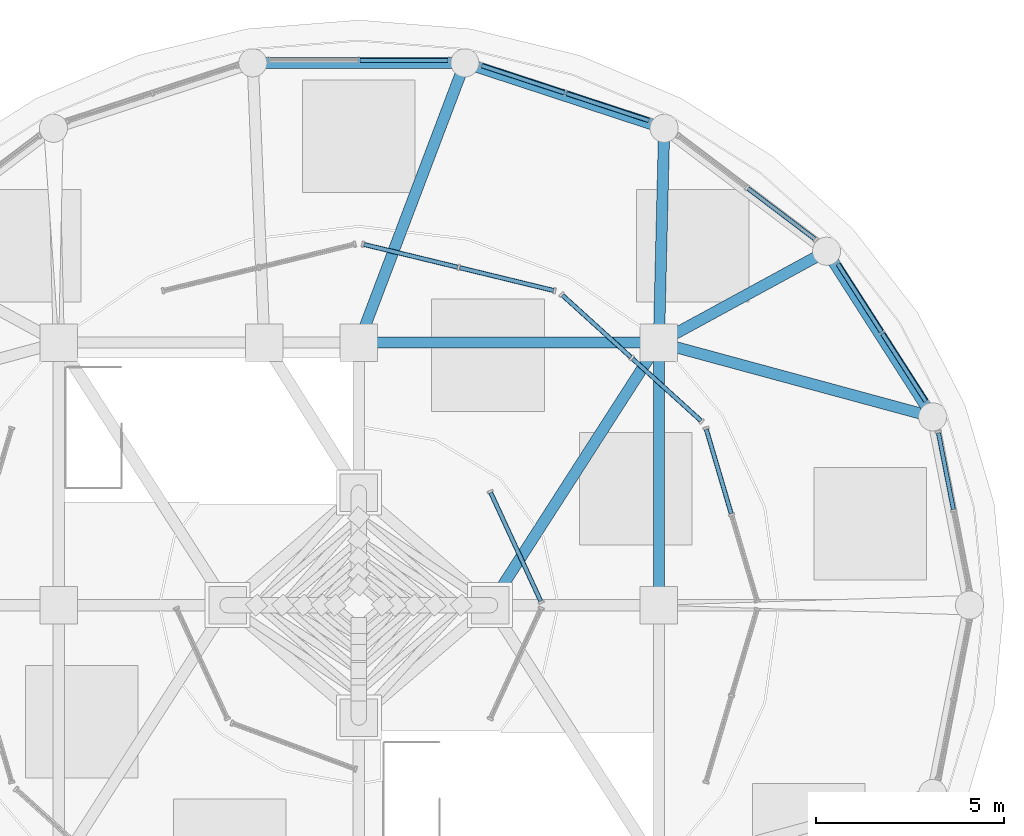
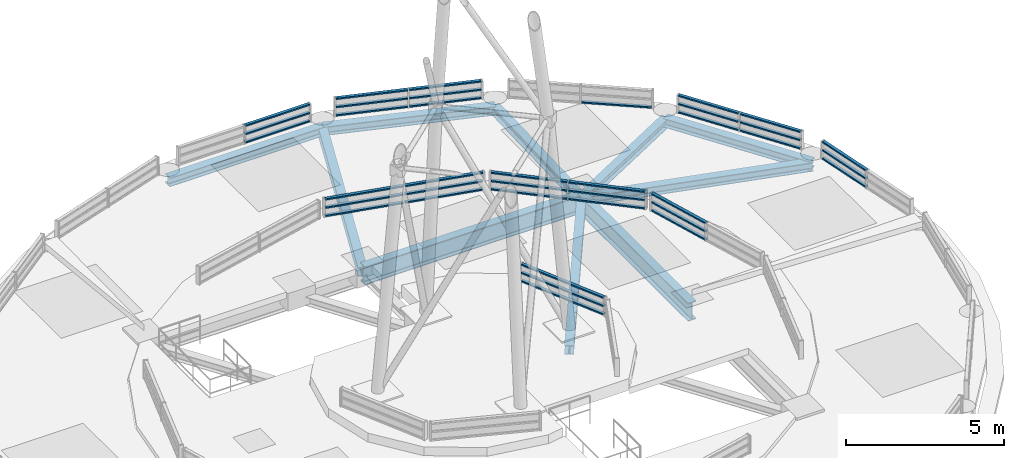
# One storey, part 6 of 21: 37 members, 10 beams, 9 elements without a shape of their own.
"""IFC4 building model written with IfcOpenShell, lengths in metres."""

import ifcopenshell
import ifcopenshell.guid

model = None  # the IFC model being written
_history = None  # IfcOwnerHistory: only IFC2X3 demands one
_inside = {}  # id of a spatial element -> (the spatial element, [elements in it])
_under = {}  # id of a project, library or spatial element -> (it, [spatial elements below it])
_declared = {}  # id of a project -> (the project, [libraries it declares])
_typed = {}  # id of a type object -> (the type object, [elements of that type])
_made_of = {}  # id of a material, layer set ... -> (it, [elements and type objects made of it])


def new_model(schema):
    """Start an empty IFC model of exactly this schema.

    Asked for "IFC4X3", IfcOpenShell would pick the latest addendum, in which some entities
    have other attributes; the version numbers below select the first issue.
    IFC2X3 requires an IfcOwnerHistory on every rooted entity: one is made here for all.
    """
    global model, _history
    if schema == "IFC4X3":
        model = ifcopenshell.file(schema_version=(4, 3, 0, 0))
    else:
        model = ifcopenshell.file(schema=schema)
    _inside.clear()
    _under.clear()
    _declared.clear()
    _typed.clear()
    _made_of.clear()
    _history = None
    if model.schema == "IFC2X3":
        org = make("IfcOrganization", Name="unknown")
        user = make(
            "IfcPersonAndOrganization",
            ThePerson=make("IfcPerson", FamilyName="unknown"),
            TheOrganization=org,
        )
        app = make(
            "IfcApplication",
            ApplicationDeveloper=org,
            Version="unknown",
            ApplicationFullName="unknown",
            ApplicationIdentifier="unknown",
        )
        _history = make(
            "IfcOwnerHistory",
            OwningUser=user,
            OwningApplication=app,
            ChangeAction="ADDED",
            CreationDate=0,
        )
    return model


def make(cls, **values):
    """One entity of the class cls with the attributes given. An attribute that is None is left unset."""
    return model.create_entity(
        cls, **{name: value for name, value in values.items() if value is not None}
    )


def rooted(cls, **values):
    """An entity with a GlobalId (a new one), such as an element, a storey or a relation."""
    return make(cls, GlobalId=ifcopenshell.guid.new(), OwnerHistory=_history, **values)


def si_unit(unit_type, name, prefix=None):
    """IfcSIUnit, for example si_unit("LENGTHUNIT", "METRE", prefix="MILLI")."""
    return make("IfcSIUnit", UnitType=unit_type, Prefix=prefix, Name=name)


def assignment(units):
    """IfcUnitAssignment: the units of a project."""
    return None if units is None else make("IfcUnitAssignment", Units=units)


def point(xyz):
    """IfcCartesianPoint."""
    return None if xyz is None else make("IfcCartesianPoint", Coordinates=xyz)


def direction(xyz):
    """IfcDirection."""
    return None if xyz is None else make("IfcDirection", DirectionRatios=xyz)


def frame(location, z_axis=None, x_axis=None):
    """IfcAxis2Placement3D, a coordinate frame: its origin and axes. An axis left out is left unset."""
    return make(
        "IfcAxis2Placement3D",
        Location=point(location),
        Axis=direction(z_axis),
        RefDirection=direction(x_axis),
    )


def frame_2d(location, x_axis=None):
    """IfcAxis2Placement2D, a coordinate frame in the plane: its origin and x axis."""
    return make(
        "IfcAxis2Placement2D", Location=point(location), RefDirection=direction(x_axis)
    )


def origin():
    """The frame at (0, 0, 0) with its axes left unset."""
    return frame((0.0, 0.0, 0.0))


def origin_2d():
    """The frame at (0, 0) in the plane with its x axis left unset."""
    return frame_2d((0.0, 0.0))


def place(relative_to, where):
    """IfcLocalPlacement: puts the frame where relative to a parent placement (None: the world)."""
    return make(
        "IfcLocalPlacement", PlacementRelTo=relative_to, RelativePlacement=where
    )


def context(
    kind, dimensions, precision=None, world=None, true_north=None, identifier=None
):
    """IfcGeometricRepresentationContext, for example the 3D "Model" context."""
    return make(
        "IfcGeometricRepresentationContext",
        ContextIdentifier=identifier,
        ContextType=kind,
        CoordinateSpaceDimension=dimensions,
        Precision=precision,
        WorldCoordinateSystem=world,
        TrueNorth=true_north,
    )


def subcontext(parent, identifier, kind, view, scale=None):
    """IfcGeometricRepresentationSubContext, for example "Body" below "Model"."""
    return make(
        "IfcGeometricRepresentationSubContext",
        ContextIdentifier=identifier,
        ContextType=kind,
        ParentContext=parent,
        TargetScale=scale,
        TargetView=view,
    )


def project(units=None, contexts=None):
    """IfcProject with its units and contexts."""
    return rooted(
        "IfcProject",
        Name="project",
        RepresentationContexts=contexts,
        UnitsInContext=assignment(units),
    )


def spatial(cls, under=None, at=None, **own):
    """A site, building, storey or space (cls), placed at a placement, below another one or the project."""
    s = rooted(cls, ObjectPlacement=at, **own)
    if under is not None:
        _under.setdefault(under.id(), (under, []))[1].append(s)
    return s


def profile(cls, at=None, kind="AREA", **sizes):
    """A parametric profile (cls). Its sizes go by their IFC names, for example OverallWidth=200.0."""
    return make(cls, ProfileType=kind, Position=at, **sizes)


def hollow_rectangle(**sizes):
    """IfcRectangleHollowProfileDef."""
    return profile("IfcRectangleHollowProfileDef", **sizes)


def i_section(**sizes):
    """IfcIShapeProfileDef."""
    return profile("IfcIShapeProfileDef", **sizes)


def extrude(swept, where, along, depth):
    """IfcExtrudedAreaSolid: the profile swept, set in the frame where, extruded along a direction by depth."""
    return make(
        "IfcExtrudedAreaSolid",
        SweptArea=swept,
        Position=where,
        ExtrudedDirection=direction(along),
        Depth=depth,
    )


def shape(context_of_items, identifier, shape_type, items):
    """IfcShapeRepresentation: the items that make up one representation, for example the "Body"."""
    return make(
        "IfcShapeRepresentation",
        ContextOfItems=context_of_items,
        RepresentationIdentifier=identifier,
        RepresentationType=shape_type,
        Items=items,
    )


def material(Name=None, Category=None):
    """IfcMaterial."""
    return make("IfcMaterial", Name=Name, Category=Category)


def layer(
    of_material, thickness, ventilated=None, Name=None, Category=None, Priority=None
):
    """IfcMaterialLayer: one layer of a wall or slab, of a material (None: an air gap)."""
    return make(
        "IfcMaterialLayer",
        Material=of_material,
        LayerThickness=thickness,
        IsVentilated=ventilated,
        Name=Name,
        Category=Category,
        Priority=Priority,
    )


def layer_set(layers, Name=None):
    """IfcMaterialLayerSet."""
    return make("IfcMaterialLayerSet", MaterialLayers=layers, LayerSetName=Name)


def material_profile(
    of_material, cross_section, Name=None, Category=None, Priority=None
):
    """IfcMaterialProfile: a cross section and its material."""
    return make(
        "IfcMaterialProfile",
        Name=Name,
        Material=of_material,
        Profile=cross_section,
        Priority=Priority,
        Category=Category,
    )


def profile_set(profiles, Name=None, composite=None):
    """IfcMaterialProfileSet."""
    return make(
        "IfcMaterialProfileSet",
        Name=Name,
        MaterialProfiles=profiles,
        CompositeProfile=composite,
    )


def made_of(thing, what):
    """Note that an element or type object is made of a material, layer set ...; save() writes the relation."""
    if what is not None:
        _made_of.setdefault(what.id(), (what, []))[1].append(thing)
    return thing


def type_object(cls, material=None, **own):
    """A type object (cls), such as IfcWallType, which elements share."""
    return made_of(rooted(cls, **own), material)


def element(
    cls,
    number,
    at=None,
    inside=None,
    cuts=None,
    type_object=None,
    material=None,
    context=None,
    identifier="Body",
    shape_type=None,
    held_by="IfcProductDefinitionShape",
    body=None,
    shapes=None,
    **own,
):
    """One element of the class cls, such as IfcWall. Its Tag is "e" and its number.

    at: its placement. inside: the storey or other place that contains it. cuts: it is an
    opening in that element (IfcRelVoidsElement). A single representation is given by context,
    identifier, shape_type and body (its items); several are given by shapes. held_by: the class
    of the entity that holds the representations. save() writes the other relations.
    """
    e = rooted(cls, Tag="e%d" % number, ObjectPlacement=at, **own)
    if body is not None:
        shapes = [shape(context, identifier, shape_type, body)]
    if shapes is not None:
        e.Representation = make(held_by, Representations=shapes)
    if inside is not None:
        _inside.setdefault(inside.id(), (inside, []))[1].append(e)
    if cuts is not None:
        rooted(
            "IfcRelVoidsElement", RelatingBuildingElement=cuts, RelatedOpeningElement=e
        )
    if type_object is not None:
        _typed.setdefault(type_object.id(), (type_object, []))[1].append(e)
    return made_of(e, material)


def aggregate(whole, parts):
    """IfcRelAggregates: a whole, such as a stair, and the parts it consists of."""
    return rooted("IfcRelAggregates", RelatingObject=whole, RelatedObjects=parts)


def save(model, path):
    """Write the relations noted so far, then the file.

    IfcRelAggregates (storeys below a building ...), IfcRelContainedInSpatialStructure (elements
    in a storey), IfcRelDefinesByType, IfcRelAssociatesMaterial and IfcRelDeclares: one each for
    every whole, place, type object, material and project.
    """
    for whole, parts in _under.values():
        aggregate(whole, parts)
    for where, things in _inside.values():
        rooted(
            "IfcRelContainedInSpatialStructure",
            RelatedElements=things,
            RelatingStructure=where,
        )
    for kind, things in _typed.values():
        rooted("IfcRelDefinesByType", RelatedObjects=things, RelatingType=kind)
    for what, things in _made_of.values():
        rooted("IfcRelAssociatesMaterial", RelatedObjects=things, RelatingMaterial=what)
    for by, libraries in _declared.values():
        rooted("IfcRelDeclares", RelatingContext=by, RelatedDefinitions=libraries)
    model.write(path)


model = new_model("IFC4")

# Units and contexts
model_context = context("Model", 3, precision=1e-05, world=origin(), true_north=direction((0.0, 1.0)))
body_context = subcontext(model_context, "Body", "Model", "MODEL_VIEW")
ifc_project = project(units=[si_unit("LENGTHUNIT", "METRE"), si_unit("AREAUNIT", "SQUARE_METRE"), si_unit("VOLUMEUNIT", "CUBIC_METRE"), si_unit("PLANEANGLEUNIT", "RADIAN"), si_unit("MASSUNIT", "GRAM", prefix="KILO")], contexts=[model_context])

# Site, building, storey
site_placement = place(None, origin())
site = spatial("IfcSite", under=ifc_project, at=site_placement, CompositionType="ELEMENT")
building_placement = place(site_placement, origin())
building = spatial("IfcBuilding", under=site, at=building_placement, Name="Kelanora Arch Commons", CompositionType="ELEMENT")
storey_placement = place(building_placement, frame((0.0, 0.0, 311.10009765625)))
storey = spatial("IfcBuildingStorey", under=building, at=storey_placement, Name="RF", CompositionType="ELEMENT", Elevation=311.10009765625)

# Beams
ifc_material_1 = material(Name="Steel S355", Category="steel")
ifc_material_profile_1 = material_profile(ifc_material_1, i_section(OverallWidth=0.300048828125, OverallDepth=0.699951171875, WebThickness=0.01708984375, FlangeThickness=0.031982421875, FilletRadius=0.027099609375, at=origin_2d()), Name="HEB700")
ifc_profile_set_1 = profile_set([ifc_material_profile_1], Name="Steel S355")
beam_type_1 = type_object("IfcBeamType", Name="BM-CORE-HDR", PredefinedType="BEAM", material=ifc_profile_set_1)
beam_1_placement = place(storey_placement, frame((82.0, 58.0, 0.099853515625), z_axis=(0.0, 1.0, 0.0), x_axis=(-1.0, 0.0, 0.0)))
element("IfcBeam", 1, at=beam_1_placement, inside=storey, type_object=beam_type_1, Name="Crown Mid Lantern Roof Ring 04", PredefinedType="BEAM", context=body_context, shape_type="SweptSolid", body=[
    extrude(i_section(OverallWidth=0.300048828125, OverallDepth=0.699951171875, WebThickness=0.01708984375, FlangeThickness=0.031982421875, FilletRadius=0.027099609375, at=origin_2d()), origin(), (0.0, 0.0, 1.0), 7.0),
])
beam_2_placement = place(storey_placement, frame((82.0, 65.0, 0.099853515625), z_axis=(-1.0, 0.0, 0.0), x_axis=(0.0, -1.0, 0.0)))
element("IfcBeam", 2, at=beam_2_placement, inside=storey, type_object=beam_type_1, Name="Crown Mid Lantern Roof Ring 05", PredefinedType="BEAM", context=body_context, shape_type="SweptSolid", body=[
    extrude(i_section(OverallWidth=0.300048828125, OverallDepth=0.699951171875, WebThickness=0.01708984375, FlangeThickness=0.031982421875, FilletRadius=0.027099609375, at=origin_2d()), origin(), (0.0, 0.0, 1.0), 8.0),
])
ifc_material_profile_2 = material_profile(ifc_material_1, i_section(OverallWidth=0.300048828125, OverallDepth=0.340087890625, WebThickness=0.011962890625, FlangeThickness=0.021484375, FilletRadius=0.027099609375, at=origin_2d()), Name="HEB340")
ifc_profile_set_2 = profile_set([ifc_material_profile_2], Name="Steel S355")
beam_type_2 = type_object("IfcBeamType", Name="BM-DRUM-RING", PredefinedType="BEAM", material=ifc_profile_set_2)
beam_3_placement = place(storey_placement, frame((89.298095703125, 63.02099609375, 0.179931640625), z_axis=(-0.53922680048, 0.842160588987, 0.0), x_axis=(-0.842160588987, -0.53922680048, 0.0)))
element("IfcBeam", 3, at=beam_3_placement, inside=storey, type_object=beam_type_2, Name="Crown Outer Lantern Ring Beam 02", PredefinedType="BEAM", context=body_context, shape_type="SweptSolid", body=[
    extrude(i_section(OverallWidth=0.300048828125, OverallDepth=0.340087890625, WebThickness=0.011962890625, FlangeThickness=0.021484375, FilletRadius=0.027099609375, at=origin_2d()), origin(), (0.0, 0.0, 1.0), 5.242431640625),
])
beam_4_placement = place(storey_placement, frame((82.139892578125, 70.71337890625, 0.179931640625), z_axis=(-0.950140083071, 0.311823383572, 0.0), x_axis=(-0.311823383572, -0.950140083071, 0.0)))
element("IfcBeam", 4, at=beam_4_placement, inside=storey, type_object=beam_type_2, Name="Crown Outer Lantern Ring Beam 06", PredefinedType="BEAM", context=body_context, shape_type="SweptSolid", body=[
    extrude(i_section(OverallWidth=0.300048828125, OverallDepth=0.340087890625, WebThickness=0.011962890625, FlangeThickness=0.021484375, FilletRadius=0.027099609375, at=origin_2d()), origin(), (0.0, 0.0, 1.0), 5.591796875),
])
beam_5_placement = place(storey_placement, frame((76.826904296875, 72.45703125, 0.179931640625), z_axis=(-1.0, 0.0, 0.0), x_axis=(0.0, -1.0, 0.0)))
element("IfcBeam", 5, at=beam_5_placement, inside=storey, type_object=beam_type_2, Name="Crown Outer Lantern Ring Beam 08", PredefinedType="BEAM", context=body_context, shape_type="SweptSolid", body=[
    extrude(i_section(OverallWidth=0.300048828125, OverallDepth=0.340087890625, WebThickness=0.011962890625, FlangeThickness=0.021484375, FilletRadius=0.027099609375, at=origin_2d()), origin(), (0.0, 0.0, 1.0), 5.65380859375),
])
beam_6_placement = place(storey_placement, frame((89.298095703125, 63.02099609375, 0.169921875), z_axis=(-0.965145027625, 0.26171563891, 0.0), x_axis=(-0.26171563891, -0.965145027625, 0.0)))
element("IfcBeam", 6, at=beam_6_placement, inside=storey, type_object=beam_type_2, Name="Sloped Glass Crown Outer Rafter 02A", PredefinedType="BEAM", context=body_context, shape_type="SweptSolid", body=[
    extrude(i_section(OverallWidth=0.300048828125, OverallDepth=0.340087890625, WebThickness=0.011962890625, FlangeThickness=0.021484375, FilletRadius=0.027099609375, at=origin_2d()), origin(), (0.0, 0.0, 1.0), 7.561767578125),
])
beam_7_placement = place(storey_placement, frame((82.0, 65.0, 0.169921875), z_axis=(-0.540757591313, -0.841178475377, 0.0), x_axis=(0.841178475377, -0.540757591313, 0.0)))
element("IfcBeam", 7, at=beam_7_placement, inside=storey, type_object=beam_type_2, Name="Sloped Glass Crown Inner Rafter 02", PredefinedType="BEAM", context=body_context, shape_type="SweptSolid", body=[
    extrude(i_section(OverallWidth=0.300048828125, OverallDepth=0.340087890625, WebThickness=0.011962890625, FlangeThickness=0.021484375, FilletRadius=0.027099609375, at=origin_2d()), origin(), (0.0, 0.0, 1.0), 8.32177734375),
])
beam_8_placement = place(storey_placement, frame((86.47119140625, 67.43603515625, 0.169921875), z_axis=(-0.878126355987, -0.478428785631, 0.0), x_axis=(0.478428785631, -0.878126355987, 0.0)))
element("IfcBeam", 8, at=beam_8_placement, inside=storey, type_object=beam_type_2, Name="Sloped Glass Crown Outer Rafter 03A", PredefinedType="BEAM", context=body_context, shape_type="SweptSolid", body=[
    extrude(i_section(OverallWidth=0.300048828125, OverallDepth=0.340087890625, WebThickness=0.011962890625, FlangeThickness=0.021484375, FilletRadius=0.027099609375, at=origin_2d()), origin(), (0.0, 0.0, 1.0), 5.091796875),
])
beam_9_placement = place(storey_placement, frame((82.139892578125, 70.71337890625, 0.169921875), z_axis=(-0.0244777504, -0.99970037498, 0.0), x_axis=(0.99970037498, -0.0244777504, 0.0)))
element("IfcBeam", 9, at=beam_9_placement, inside=storey, type_object=beam_type_2, Name="Sloped Glass Crown Outer Rafter 04A", PredefinedType="BEAM", context=body_context, shape_type="SweptSolid", body=[
    extrude(i_section(OverallWidth=0.300048828125, OverallDepth=0.340087890625, WebThickness=0.011962890625, FlangeThickness=0.021484375, FilletRadius=0.027099609375, at=origin_2d()), origin(), (0.0, 0.0, 1.0), 5.715087890625),
])
beam_10_placement = place(storey_placement, frame((76.826904296875, 72.45703125, 0.169921875), z_axis=(-0.354476114465, -0.93506506954, 0.0), x_axis=(0.93506506954, -0.354476114465, 0.0)))
element("IfcBeam", 10, at=beam_10_placement, inside=storey, type_object=beam_type_2, Name="Sloped Glass Crown Outer Rafter 05A", PredefinedType="BEAM", context=body_context, shape_type="SweptSolid", body=[
    extrude(i_section(OverallWidth=0.300048828125, OverallDepth=0.340087890625, WebThickness=0.011962890625, FlangeThickness=0.021484375, FilletRadius=0.027099609375, at=origin_2d()), origin(), (0.0, 0.0, 1.0), 7.974853515625),
])

# Curtain wall, members
ifc_material_2 = material(Name="Terracotta ceramic-fritted low-E glass and aluminium", Category="masonry")
ifc_layer = layer(ifc_material_2, 0.14990234375)
ifc_layer_set = layer_set([ifc_layer], Name="Terracotta ceramic-fritted low-E glass and aluminium")
curtain_wall_type = type_object("IfcCurtainWallType", Name="CW-SYS-06", PredefinedType="NOTDEFINED", material=ifc_layer_set)
curtain_wall_1_placement = place(storey_placement, origin())
curtain_wall_1 = element("IfcCurtainWall", 11, at=curtain_wall_1_placement, inside=storey, type_object=curtain_wall_type, Name="Sloped Glass Crown Lantern T1-01", PredefinedType="NOTDEFINED")
ifc_material_3 = material(Name="Powder-coated aluminium terracotta", Category="masonry")
ifc_material_profile_3 = material_profile(ifc_material_3, hollow_rectangle(XDim=0.1201171875, YDim=0.06005859375, WallThickness=0.0048828125, InnerFilletRadius=0.0048828125, OuterFilletRadius=0.010009765625, at=origin_2d()), Name="CWT120x60")
ifc_profile_set_3 = profile_set([ifc_material_profile_3], Name="Powder-coated aluminium terracotta")
member_type = type_object("IfcMemberType", Name="CWT-STD", PredefinedType="USERDEFINED", material=ifc_profile_set_3)
member_1_placement = place(storey_placement, frame((89.851318359375, 60.5517578125, 0.619873046875), z_axis=(-0.191893651219, 0.981415725685, 0.0), x_axis=(-0.981415725685, -0.191893651219, 0.0)))
member_1 = element("IfcMember", 12, at=member_1_placement, type_object=member_type, Name="CW-06 transom 2.1", ObjectType="TRANSOM", PredefinedType="USERDEFINED", context=body_context, shape_type="SweptSolid", body=[
    extrude(hollow_rectangle(XDim=0.1201171875, YDim=0.06005859375, WallThickness=0.0048828125, InnerFilletRadius=0.0048828125, OuterFilletRadius=0.010009765625, at=origin_2d()), origin(), (0.0, 0.0, 1.0), 2.080078125),
])
member_2_placement = place(storey_placement, frame((89.851318359375, 60.5517578125, 0.93994140625), z_axis=(-0.191893651219, 0.981415725685, 0.0), x_axis=(-0.981415725685, -0.191893651219, 0.0)))
member_2 = element("IfcMember", 13, at=member_2_placement, type_object=member_type, Name="CW-06 transom 2.2", ObjectType="TRANSOM", PredefinedType="USERDEFINED", context=body_context, shape_type="SweptSolid", body=[
    extrude(hollow_rectangle(XDim=0.1201171875, YDim=0.06005859375, WallThickness=0.0048828125, InnerFilletRadius=0.0048828125, OuterFilletRadius=0.010009765625, at=origin_2d()), origin(), (0.0, 0.0, 1.0), 2.080078125),
])
member_3_placement = place(storey_placement, frame((89.851318359375, 60.5517578125, 1.260009765625), z_axis=(-0.191893651219, 0.981415725685, 0.0), x_axis=(-0.981415725685, -0.191893651219, 0.0)))
member_3 = element("IfcMember", 14, at=member_3_placement, type_object=member_type, Name="CW-06 transom 2.3", ObjectType="TRANSOM", PredefinedType="USERDEFINED", context=body_context, shape_type="SweptSolid", body=[
    extrude(hollow_rectangle(XDim=0.1201171875, YDim=0.06005859375, WallThickness=0.0048828125, InnerFilletRadius=0.0048828125, OuterFilletRadius=0.010009765625, at=origin_2d()), origin(), (0.0, 0.0, 1.0), 2.080078125),
])
aggregate(curtain_wall_1, [member_1, member_2, member_3])

curtain_wall_2_placement = place(storey_placement, origin())
curtain_wall_2 = element("IfcCurtainWall", 15, at=curtain_wall_2_placement, inside=storey, type_object=curtain_wall_type, Name="Sloped Glass Crown Lantern T1-02", PredefinedType="NOTDEFINED")
member_4_placement = place(storey_placement, frame((89.115966796875, 63.43212890625, 0.619873046875), z_axis=(-0.538937342954, 0.842345855555, 0.0), x_axis=(-0.842345855555, -0.538937342954, 0.0)))
member_4 = element("IfcMember", 16, at=member_4_placement, type_object=member_type, Name="CW-06 transom 1.1", ObjectType="TRANSOM", PredefinedType="USERDEFINED", context=body_context, shape_type="SweptSolid", body=[
    extrude(hollow_rectangle(XDim=0.1201171875, YDim=0.06005859375, WallThickness=0.0048828125, InnerFilletRadius=0.0048828125, OuterFilletRadius=0.010009765625, at=origin_2d()), origin(), (0.0, 0.0, 1.0), 2.1435546875),
])
member_5_placement = place(storey_placement, frame((89.115966796875, 63.43212890625, 0.93994140625), z_axis=(-0.538937342954, 0.842345855555, 0.0), x_axis=(-0.842345855555, -0.538937342954, 0.0)))
member_5 = element("IfcMember", 17, at=member_5_placement, type_object=member_type, Name="CW-06 transom 1.2", ObjectType="TRANSOM", PredefinedType="USERDEFINED", context=body_context, shape_type="SweptSolid", body=[
    extrude(hollow_rectangle(XDim=0.1201171875, YDim=0.06005859375, WallThickness=0.0048828125, InnerFilletRadius=0.0048828125, OuterFilletRadius=0.010009765625, at=origin_2d()), origin(), (0.0, 0.0, 1.0), 2.1435546875),
])
member_6_placement = place(storey_placement, frame((89.115966796875, 63.43212890625, 1.260009765625), z_axis=(-0.538937342954, 0.842345855555, 0.0), x_axis=(-0.842345855555, -0.538937342954, 0.0)))
member_6 = element("IfcMember", 18, at=member_6_placement, type_object=member_type, Name="CW-06 transom 1.3", ObjectType="TRANSOM", PredefinedType="USERDEFINED", context=body_context, shape_type="SweptSolid", body=[
    extrude(hollow_rectangle(XDim=0.1201171875, YDim=0.06005859375, WallThickness=0.0048828125, InnerFilletRadius=0.0048828125, OuterFilletRadius=0.010009765625, at=origin_2d()), origin(), (0.0, 0.0, 1.0), 2.1435546875),
])
member_7_placement = place(storey_placement, frame((87.92822265625, 65.288330078125, 0.619873046875), z_axis=(-0.539069856372, 0.842261058076, 0.0), x_axis=(-0.842261058076, -0.539069856372, 0.0)))
member_7 = element("IfcMember", 19, at=member_7_placement, type_object=member_type, Name="CW-06 transom 2.1", ObjectType="TRANSOM", PredefinedType="USERDEFINED", context=body_context, shape_type="SweptSolid", body=[
    extrude(hollow_rectangle(XDim=0.1201171875, YDim=0.06005859375, WallThickness=0.0048828125, InnerFilletRadius=0.0048828125, OuterFilletRadius=0.010009765625, at=origin_2d()), origin(), (0.0, 0.0, 1.0), 2.1435546875),
])
member_8_placement = place(storey_placement, frame((87.92822265625, 65.288330078125, 0.93994140625), z_axis=(-0.539069856372, 0.842261058076, 0.0), x_axis=(-0.842261058076, -0.539069856372, 0.0)))
member_8 = element("IfcMember", 20, at=member_8_placement, type_object=member_type, Name="CW-06 transom 2.2", ObjectType="TRANSOM", PredefinedType="USERDEFINED", context=body_context, shape_type="SweptSolid", body=[
    extrude(hollow_rectangle(XDim=0.1201171875, YDim=0.06005859375, WallThickness=0.0048828125, InnerFilletRadius=0.0048828125, OuterFilletRadius=0.010009765625, at=origin_2d()), origin(), (0.0, 0.0, 1.0), 2.1435546875),
])
member_9_placement = place(storey_placement, frame((87.92822265625, 65.288330078125, 1.260009765625), z_axis=(-0.539069856372, 0.842261058076, 0.0), x_axis=(-0.842261058076, -0.539069856372, 0.0)))
member_9 = element("IfcMember", 21, at=member_9_placement, type_object=member_type, Name="CW-06 transom 2.3", ObjectType="TRANSOM", PredefinedType="USERDEFINED", context=body_context, shape_type="SweptSolid", body=[
    extrude(hollow_rectangle(XDim=0.1201171875, YDim=0.06005859375, WallThickness=0.0048828125, InnerFilletRadius=0.0048828125, OuterFilletRadius=0.010009765625, at=origin_2d()), origin(), (0.0, 0.0, 1.0), 2.1435546875),
])
aggregate(curtain_wall_2, [member_4, member_5, member_6, member_7, member_8, member_9])

# Curtain wall, member
curtain_wall_3_placement = place(storey_placement, origin())
curtain_wall_3 = element("IfcCurtainWall", 22, at=curtain_wall_3_placement, inside=storey, type_object=curtain_wall_type, Name="Sloped Glass Crown Lantern T1-03", PredefinedType="NOTDEFINED")
member_10_placement = place(storey_placement, frame((86.157958984375, 67.7587890625, 0.619873046875), z_axis=(-0.797321244253, 0.603555161906, 0.0), x_axis=(-0.603555161906, -0.797321244253, 0.0)))
member_10 = element("IfcMember", 23, at=member_10_placement, type_object=member_type, Name="CW-06 transom 1.1", ObjectType="TRANSOM", PredefinedType="USERDEFINED", context=body_context, shape_type="SweptSolid", body=[
    extrude(hollow_rectangle(XDim=0.1201171875, YDim=0.06005859375, WallThickness=0.0048828125, InnerFilletRadius=0.0048828125, OuterFilletRadius=0.010009765625, at=origin_2d()), origin(), (0.0, 0.0, 1.0), 2.23779296875),
])
aggregate(curtain_wall_3, [member_10])

# Curtain wall, members
curtain_wall_4_placement = place(storey_placement, origin())
curtain_wall_4 = element("IfcCurtainWall", 24, at=curtain_wall_4_placement, inside=storey, type_object=curtain_wall_type, Name="Sloped Glass Crown Lantern T1-04", PredefinedType="NOTDEFINED")
member_11_placement = place(storey_placement, frame((81.738037109375, 70.91748046875, 0.619873046875), z_axis=(-0.950095534475, 0.311959092464, 0.0), x_axis=(-0.311959092464, -0.950095534475, 0.0)))
member_11 = element("IfcMember", 25, at=member_11_placement, type_object=member_type, Name="CW-06 transom 1.1", ObjectType="TRANSOM", PredefinedType="USERDEFINED", context=body_context, shape_type="SweptSolid", body=[
    extrude(hollow_rectangle(XDim=0.1201171875, YDim=0.06005859375, WallThickness=0.0048828125, InnerFilletRadius=0.0048828125, OuterFilletRadius=0.010009765625, at=origin_2d()), origin(), (0.0, 0.0, 1.0), 2.318115234375),
])
member_12_placement = place(storey_placement, frame((81.738037109375, 70.91748046875, 0.93994140625), z_axis=(-0.950095534475, 0.311959092464, 0.0), x_axis=(-0.311959092464, -0.950095534475, 0.0)))
member_12 = element("IfcMember", 26, at=member_12_placement, type_object=member_type, Name="CW-06 transom 1.2", ObjectType="TRANSOM", PredefinedType="USERDEFINED", context=body_context, shape_type="SweptSolid", body=[
    extrude(hollow_rectangle(XDim=0.1201171875, YDim=0.06005859375, WallThickness=0.0048828125, InnerFilletRadius=0.0048828125, OuterFilletRadius=0.010009765625, at=origin_2d()), origin(), (0.0, 0.0, 1.0), 2.318115234375),
])
member_13_placement = place(storey_placement, frame((81.738037109375, 70.91748046875, 1.260009765625), z_axis=(-0.950095534475, 0.311959092464, 0.0), x_axis=(-0.311959092464, -0.950095534475, 0.0)))
member_13 = element("IfcMember", 27, at=member_13_placement, type_object=member_type, Name="CW-06 transom 1.3", ObjectType="TRANSOM", PredefinedType="USERDEFINED", context=body_context, shape_type="SweptSolid", body=[
    extrude(hollow_rectangle(XDim=0.1201171875, YDim=0.06005859375, WallThickness=0.0048828125, InnerFilletRadius=0.0048828125, OuterFilletRadius=0.010009765625, at=origin_2d()), origin(), (0.0, 0.0, 1.0), 2.318115234375),
])
member_14_placement = place(storey_placement, frame((79.478515625, 71.6591796875, 0.619873046875), z_axis=(-0.950095534475, 0.311959092464, 0.0), x_axis=(-0.311959092464, -0.950095534475, 0.0)))
member_14 = element("IfcMember", 28, at=member_14_placement, type_object=member_type, Name="CW-06 transom 2.1", ObjectType="TRANSOM", PredefinedType="USERDEFINED", context=body_context, shape_type="SweptSolid", body=[
    extrude(hollow_rectangle(XDim=0.1201171875, YDim=0.06005859375, WallThickness=0.0048828125, InnerFilletRadius=0.0048828125, OuterFilletRadius=0.010009765625, at=origin_2d()), origin(), (0.0, 0.0, 1.0), 2.318115234375),
])
member_15_placement = place(storey_placement, frame((79.478515625, 71.6591796875, 0.93994140625), z_axis=(-0.950095534475, 0.311959092464, 0.0), x_axis=(-0.311959092464, -0.950095534475, 0.0)))
member_15 = element("IfcMember", 29, at=member_15_placement, type_object=member_type, Name="CW-06 transom 2.2", ObjectType="TRANSOM", PredefinedType="USERDEFINED", context=body_context, shape_type="SweptSolid", body=[
    extrude(hollow_rectangle(XDim=0.1201171875, YDim=0.06005859375, WallThickness=0.0048828125, InnerFilletRadius=0.0048828125, OuterFilletRadius=0.010009765625, at=origin_2d()), origin(), (0.0, 0.0, 1.0), 2.318115234375),
])
member_16_placement = place(storey_placement, frame((79.478515625, 71.6591796875, 1.260009765625), z_axis=(-0.950095534475, 0.311959092464, 0.0), x_axis=(-0.311959092464, -0.950095534475, 0.0)))
member_16 = element("IfcMember", 30, at=member_16_placement, type_object=member_type, Name="CW-06 transom 2.3", ObjectType="TRANSOM", PredefinedType="USERDEFINED", context=body_context, shape_type="SweptSolid", body=[
    extrude(hollow_rectangle(XDim=0.1201171875, YDim=0.06005859375, WallThickness=0.0048828125, InnerFilletRadius=0.0048828125, OuterFilletRadius=0.010009765625, at=origin_2d()), origin(), (0.0, 0.0, 1.0), 2.318115234375),
])
aggregate(curtain_wall_4, [member_11, member_12, member_13, member_14, member_15, member_16])

curtain_wall_5_placement = place(storey_placement, origin())
curtain_wall_5 = element("IfcCurtainWall", 31, at=curtain_wall_5_placement, inside=storey, type_object=curtain_wall_type, Name="Sloped Glass Crown Lantern T1-05", PredefinedType="NOTDEFINED")
member_17_placement = place(storey_placement, frame((76.379150390625, 72.52587890625, 0.619873046875), z_axis=(-1.0, 0.0, 0.0), x_axis=(0.0, -1.0, 0.0)))
member_17 = element("IfcMember", 32, at=member_17_placement, type_object=member_type, Name="CW-06 transom 1.1", ObjectType="TRANSOM", PredefinedType="USERDEFINED", context=body_context, shape_type="SweptSolid", body=[
    extrude(hollow_rectangle(XDim=0.1201171875, YDim=0.06005859375, WallThickness=0.0048828125, InnerFilletRadius=0.0048828125, OuterFilletRadius=0.010009765625, at=origin_2d()), origin(), (0.0, 0.0, 1.0), 2.34912109375),
])
member_18_placement = place(storey_placement, frame((76.379150390625, 72.52587890625, 0.93994140625), z_axis=(-1.0, 0.0, 0.0), x_axis=(0.0, -1.0, 0.0)))
member_18 = element("IfcMember", 33, at=member_18_placement, type_object=member_type, Name="CW-06 transom 1.2", ObjectType="TRANSOM", PredefinedType="USERDEFINED", context=body_context, shape_type="SweptSolid", body=[
    extrude(hollow_rectangle(XDim=0.1201171875, YDim=0.06005859375, WallThickness=0.0048828125, InnerFilletRadius=0.0048828125, OuterFilletRadius=0.010009765625, at=origin_2d()), origin(), (0.0, 0.0, 1.0), 2.34912109375),
])
member_19_placement = place(storey_placement, frame((76.379150390625, 72.52587890625, 1.260009765625), z_axis=(-1.0, 0.0, 0.0), x_axis=(0.0, -1.0, 0.0)))
member_19 = element("IfcMember", 34, at=member_19_placement, type_object=member_type, Name="CW-06 transom 1.3", ObjectType="TRANSOM", PredefinedType="USERDEFINED", context=body_context, shape_type="SweptSolid", body=[
    extrude(hollow_rectangle(XDim=0.1201171875, YDim=0.06005859375, WallThickness=0.0048828125, InnerFilletRadius=0.0048828125, OuterFilletRadius=0.010009765625, at=origin_2d()), origin(), (0.0, 0.0, 1.0), 2.34912109375),
])
aggregate(curtain_wall_5, [member_17, member_18, member_19])

curtain_wall_6_placement = place(storey_placement, origin())
curtain_wall_6 = element("IfcCurtainWall", 35, at=curtain_wall_6_placement, inside=storey, type_object=curtain_wall_type, Name="Sloped Glass Crown Lantern T2-01", PredefinedType="NOTDEFINED")
member_20_placement = place(storey_placement, frame((83.927978515625, 60.441162109375, 0.719970703125), z_axis=(-0.283507123418, 0.958970130385, 0.0), x_axis=(-0.958970130385, -0.283507123418, 0.0)))
member_20 = element("IfcMember", 36, at=member_20_placement, type_object=member_type, Name="CW-06 transom 2.1", ObjectType="TRANSOM", PredefinedType="USERDEFINED", context=body_context, shape_type="SweptSolid", body=[
    extrude(hollow_rectangle(XDim=0.1201171875, YDim=0.06005859375, WallThickness=0.0048828125, InnerFilletRadius=0.0048828125, OuterFilletRadius=0.010009765625, at=origin_2d()), origin(), (0.0, 0.0, 1.0), 2.345703125),
])
member_21_placement = place(storey_placement, frame((83.927978515625, 60.441162109375, 1.039794921875), z_axis=(-0.283507123418, 0.958970130385, 0.0), x_axis=(-0.958970130385, -0.283507123418, 0.0)))
member_21 = element("IfcMember", 37, at=member_21_placement, type_object=member_type, Name="CW-06 transom 2.2", ObjectType="TRANSOM", PredefinedType="USERDEFINED", context=body_context, shape_type="SweptSolid", body=[
    extrude(hollow_rectangle(XDim=0.1201171875, YDim=0.06005859375, WallThickness=0.0048828125, InnerFilletRadius=0.0048828125, OuterFilletRadius=0.010009765625, at=origin_2d()), origin(), (0.0, 0.0, 1.0), 2.345703125),
])
member_22_placement = place(storey_placement, frame((83.927978515625, 60.441162109375, 1.35986328125), z_axis=(-0.283507123418, 0.958970130385, 0.0), x_axis=(-0.958970130385, -0.283507123418, 0.0)))
member_22 = element("IfcMember", 38, at=member_22_placement, type_object=member_type, Name="CW-06 transom 2.3", ObjectType="TRANSOM", PredefinedType="USERDEFINED", context=body_context, shape_type="SweptSolid", body=[
    extrude(hollow_rectangle(XDim=0.1201171875, YDim=0.06005859375, WallThickness=0.0048828125, InnerFilletRadius=0.0048828125, OuterFilletRadius=0.010009765625, at=origin_2d()), origin(), (0.0, 0.0, 1.0), 2.345703125),
])
aggregate(curtain_wall_6, [member_20, member_21, member_22])

curtain_wall_7_placement = place(storey_placement, origin())
curtain_wall_7 = element("IfcCurtainWall", 39, at=curtain_wall_7_placement, inside=storey, type_object=curtain_wall_type, Name="Sloped Glass Crown Lantern T2-02", PredefinedType="NOTDEFINED")
member_23_placement = place(storey_placement, frame((83.119384765625, 62.9189453125, 0.719970703125), z_axis=(-0.741034787587, 0.671466636242, 0.0), x_axis=(-0.671466636242, -0.741034787587, 0.0)))
member_23 = element("IfcMember", 40, at=member_23_placement, type_object=member_type, Name="CW-06 transom 1.1", ObjectType="TRANSOM", PredefinedType="USERDEFINED", context=body_context, shape_type="SweptSolid", body=[
    extrude(hollow_rectangle(XDim=0.1201171875, YDim=0.06005859375, WallThickness=0.0048828125, InnerFilletRadius=0.0048828125, OuterFilletRadius=0.010009765625, at=origin_2d()), origin(), (0.0, 0.0, 1.0), 2.4599609375),
])
member_24_placement = place(storey_placement, frame((83.119384765625, 62.9189453125, 1.039794921875), z_axis=(-0.741034787587, 0.671466636242, 0.0), x_axis=(-0.671466636242, -0.741034787587, 0.0)))
member_24 = element("IfcMember", 41, at=member_24_placement, type_object=member_type, Name="CW-06 transom 1.2", ObjectType="TRANSOM", PredefinedType="USERDEFINED", context=body_context, shape_type="SweptSolid", body=[
    extrude(hollow_rectangle(XDim=0.1201171875, YDim=0.06005859375, WallThickness=0.0048828125, InnerFilletRadius=0.0048828125, OuterFilletRadius=0.010009765625, at=origin_2d()), origin(), (0.0, 0.0, 1.0), 2.4599609375),
])
member_25_placement = place(storey_placement, frame((83.119384765625, 62.9189453125, 1.35986328125), z_axis=(-0.741034787587, 0.671466636242, 0.0), x_axis=(-0.671466636242, -0.741034787587, 0.0)))
member_25 = element("IfcMember", 42, at=member_25_placement, type_object=member_type, Name="CW-06 transom 1.3", ObjectType="TRANSOM", PredefinedType="USERDEFINED", context=body_context, shape_type="SweptSolid", body=[
    extrude(hollow_rectangle(XDim=0.1201171875, YDim=0.06005859375, WallThickness=0.0048828125, InnerFilletRadius=0.0048828125, OuterFilletRadius=0.010009765625, at=origin_2d()), origin(), (0.0, 0.0, 1.0), 2.4599609375),
])
member_26_placement = place(storey_placement, frame((81.251953125, 64.611083984375, 0.719970703125), z_axis=(-0.741030152391, 0.671471751638, 0.0), x_axis=(-0.671471751638, -0.741030152391, 0.0)))
member_26 = element("IfcMember", 43, at=member_26_placement, type_object=member_type, Name="CW-06 transom 2.1", ObjectType="TRANSOM", PredefinedType="USERDEFINED", context=body_context, shape_type="SweptSolid", body=[
    extrude(hollow_rectangle(XDim=0.1201171875, YDim=0.06005859375, WallThickness=0.0048828125, InnerFilletRadius=0.0048828125, OuterFilletRadius=0.010009765625, at=origin_2d()), origin(), (0.0, 0.0, 1.0), 2.46044921875),
])
member_27_placement = place(storey_placement, frame((81.251953125, 64.611083984375, 1.039794921875), z_axis=(-0.741030152391, 0.671471751638, 0.0), x_axis=(-0.671471751638, -0.741030152391, 0.0)))
member_27 = element("IfcMember", 44, at=member_27_placement, type_object=member_type, Name="CW-06 transom 2.2", ObjectType="TRANSOM", PredefinedType="USERDEFINED", context=body_context, shape_type="SweptSolid", body=[
    extrude(hollow_rectangle(XDim=0.1201171875, YDim=0.06005859375, WallThickness=0.0048828125, InnerFilletRadius=0.0048828125, OuterFilletRadius=0.010009765625, at=origin_2d()), origin(), (0.0, 0.0, 1.0), 2.46044921875),
])
member_28_placement = place(storey_placement, frame((81.251953125, 64.611083984375, 1.35986328125), z_axis=(-0.741030152391, 0.671471751638, 0.0), x_axis=(-0.671471751638, -0.741030152391, 0.0)))
member_28 = element("IfcMember", 45, at=member_28_placement, type_object=member_type, Name="CW-06 transom 2.3", ObjectType="TRANSOM", PredefinedType="USERDEFINED", context=body_context, shape_type="SweptSolid", body=[
    extrude(hollow_rectangle(XDim=0.1201171875, YDim=0.06005859375, WallThickness=0.0048828125, InnerFilletRadius=0.0048828125, OuterFilletRadius=0.010009765625, at=origin_2d()), origin(), (0.0, 0.0, 1.0), 2.46044921875),
])
aggregate(curtain_wall_7, [member_23, member_24, member_25, member_26, member_27, member_28])

curtain_wall_8_placement = place(storey_placement, origin())
curtain_wall_8 = element("IfcCurtainWall", 46, at=curtain_wall_8_placement, inside=storey, type_object=curtain_wall_type, Name="Sloped Glass Crown Lantern T2-03", PredefinedType="NOTDEFINED")
member_29_placement = place(storey_placement, frame((79.18896484375, 66.39013671875, 0.719970703125), z_axis=(-0.971757749872, 0.235980667776, 0.0), x_axis=(-0.235980667776, -0.971757749872, 0.0)))
member_29 = element("IfcMember", 47, at=member_29_placement, type_object=member_type, Name="CW-06 transom 1.1", ObjectType="TRANSOM", PredefinedType="USERDEFINED", context=body_context, shape_type="SweptSolid", body=[
    extrude(hollow_rectangle(XDim=0.1201171875, YDim=0.06005859375, WallThickness=0.0048828125, InnerFilletRadius=0.0048828125, OuterFilletRadius=0.010009765625, at=origin_2d()), origin(), (0.0, 0.0, 1.0), 2.56982421875),
])
member_30_placement = place(storey_placement, frame((79.18896484375, 66.39013671875, 1.039794921875), z_axis=(-0.971757749872, 0.235980667776, 0.0), x_axis=(-0.235980667776, -0.971757749872, 0.0)))
member_30 = element("IfcMember", 48, at=member_30_placement, type_object=member_type, Name="CW-06 transom 1.2", ObjectType="TRANSOM", PredefinedType="USERDEFINED", context=body_context, shape_type="SweptSolid", body=[
    extrude(hollow_rectangle(XDim=0.1201171875, YDim=0.06005859375, WallThickness=0.0048828125, InnerFilletRadius=0.0048828125, OuterFilletRadius=0.010009765625, at=origin_2d()), origin(), (0.0, 0.0, 1.0), 2.56982421875),
])
member_31_placement = place(storey_placement, frame((79.18896484375, 66.39013671875, 1.35986328125), z_axis=(-0.971757749872, 0.235980667776, 0.0), x_axis=(-0.235980667776, -0.971757749872, 0.0)))
member_31 = element("IfcMember", 49, at=member_31_placement, type_object=member_type, Name="CW-06 transom 1.3", ObjectType="TRANSOM", PredefinedType="USERDEFINED", context=body_context, shape_type="SweptSolid", body=[
    extrude(hollow_rectangle(XDim=0.1201171875, YDim=0.06005859375, WallThickness=0.0048828125, InnerFilletRadius=0.0048828125, OuterFilletRadius=0.010009765625, at=origin_2d()), origin(), (0.0, 0.0, 1.0), 2.56982421875),
])
member_32_placement = place(storey_placement, frame((76.63330078125, 67.0107421875, 0.719970703125), z_axis=(-0.971779531305, 0.235890954759, 0.0), x_axis=(-0.235890954759, -0.971779531305, 0.0)))
member_32 = element("IfcMember", 50, at=member_32_placement, type_object=member_type, Name="CW-06 transom 2.1", ObjectType="TRANSOM", PredefinedType="USERDEFINED", context=body_context, shape_type="SweptSolid", body=[
    extrude(hollow_rectangle(XDim=0.1201171875, YDim=0.06005859375, WallThickness=0.0048828125, InnerFilletRadius=0.0048828125, OuterFilletRadius=0.010009765625, at=origin_2d()), origin(), (0.0, 0.0, 1.0), 2.56982421875),
])
member_33_placement = place(storey_placement, frame((76.63330078125, 67.0107421875, 1.039794921875), z_axis=(-0.971779531305, 0.235890954759, 0.0), x_axis=(-0.235890954759, -0.971779531305, 0.0)))
member_33 = element("IfcMember", 51, at=member_33_placement, type_object=member_type, Name="CW-06 transom 2.2", ObjectType="TRANSOM", PredefinedType="USERDEFINED", context=body_context, shape_type="SweptSolid", body=[
    extrude(hollow_rectangle(XDim=0.1201171875, YDim=0.06005859375, WallThickness=0.0048828125, InnerFilletRadius=0.0048828125, OuterFilletRadius=0.010009765625, at=origin_2d()), origin(), (0.0, 0.0, 1.0), 2.56982421875),
])
member_34_placement = place(storey_placement, frame((76.63330078125, 67.0107421875, 1.35986328125), z_axis=(-0.971779531305, 0.235890954759, 0.0), x_axis=(-0.235890954759, -0.971779531305, 0.0)))
member_34 = element("IfcMember", 52, at=member_34_placement, type_object=member_type, Name="CW-06 transom 2.3", ObjectType="TRANSOM", PredefinedType="USERDEFINED", context=body_context, shape_type="SweptSolid", body=[
    extrude(hollow_rectangle(XDim=0.1201171875, YDim=0.06005859375, WallThickness=0.0048828125, InnerFilletRadius=0.0048828125, OuterFilletRadius=0.010009765625, at=origin_2d()), origin(), (0.0, 0.0, 1.0), 2.56982421875),
])
aggregate(curtain_wall_8, [member_29, member_30, member_31, member_32, member_33, member_34])

curtain_wall_9_placement = place(storey_placement, origin())
curtain_wall_9 = element("IfcCurtainWall", 53, at=curtain_wall_9_placement, inside=storey, type_object=curtain_wall_type, Name="Sloped Glass Crown Lantern T3-01", PredefinedType="NOTDEFINED")
member_35_placement = place(storey_placement, frame((78.849853515625, 58.10888671875, 1.02978515625), z_axis=(-0.41888810842, 0.908037858585, 0.0), x_axis=(-0.908037858585, -0.41888810842, 0.0)))
member_35 = element("IfcMember", 54, at=member_35_placement, type_object=member_type, Name="CW-06 transom 1.1", ObjectType="TRANSOM", PredefinedType="USERDEFINED", context=body_context, shape_type="SweptSolid", body=[
    extrude(hollow_rectangle(XDim=0.1201171875, YDim=0.06005859375, WallThickness=0.0048828125, InnerFilletRadius=0.0048828125, OuterFilletRadius=0.010009765625, at=origin_2d()), origin(), (0.0, 0.0, 1.0), 3.186279296875),
])
member_36_placement = place(storey_placement, frame((78.849853515625, 58.10888671875, 1.349853515625), z_axis=(-0.41888810842, 0.908037858585, 0.0), x_axis=(-0.908037858585, -0.41888810842, 0.0)))
member_36 = element("IfcMember", 55, at=member_36_placement, type_object=member_type, Name="CW-06 transom 1.2", ObjectType="TRANSOM", PredefinedType="USERDEFINED", context=body_context, shape_type="SweptSolid", body=[
    extrude(hollow_rectangle(XDim=0.1201171875, YDim=0.06005859375, WallThickness=0.0048828125, InnerFilletRadius=0.0048828125, OuterFilletRadius=0.010009765625, at=origin_2d()), origin(), (0.0, 0.0, 1.0), 3.186279296875),
])
member_37_placement = place(storey_placement, frame((78.849853515625, 58.10888671875, 1.669921875), z_axis=(-0.41888810842, 0.908037858585, 0.0), x_axis=(-0.908037858585, -0.41888810842, 0.0)))
member_37 = element("IfcMember", 56, at=member_37_placement, type_object=member_type, Name="CW-06 transom 1.3", ObjectType="TRANSOM", PredefinedType="USERDEFINED", context=body_context, shape_type="SweptSolid", body=[
    extrude(hollow_rectangle(XDim=0.1201171875, YDim=0.06005859375, WallThickness=0.0048828125, InnerFilletRadius=0.0048828125, OuterFilletRadius=0.010009765625, at=origin_2d()), origin(), (0.0, 0.0, 1.0), 3.186279296875),
])
aggregate(curtain_wall_9, [member_35, member_36, member_37])

save(model, "model.ifc")
